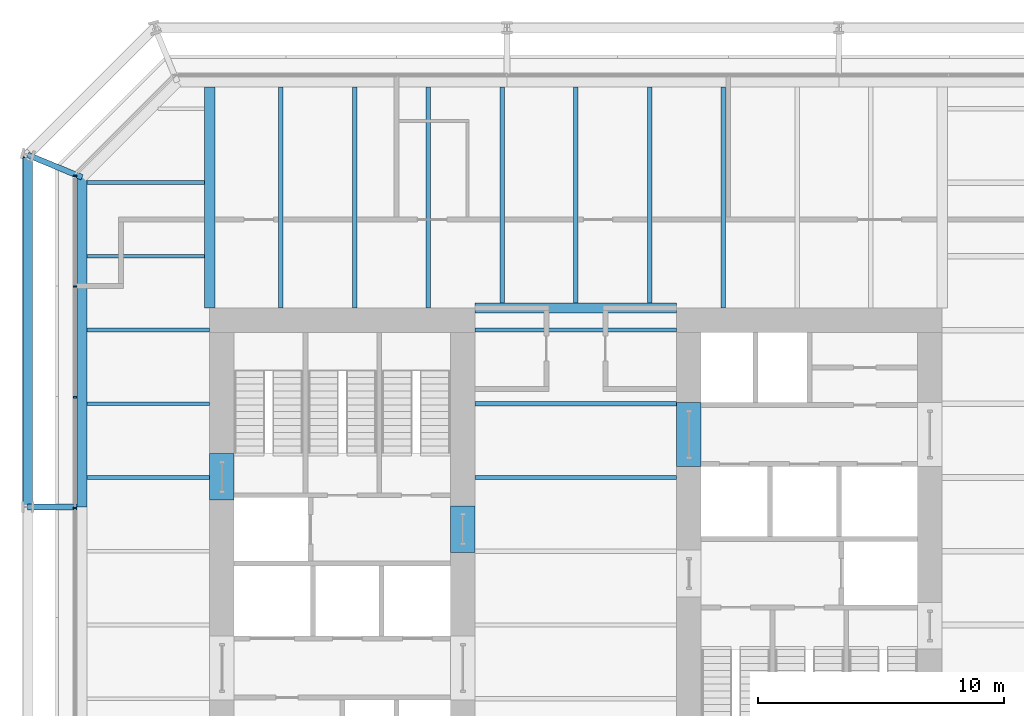
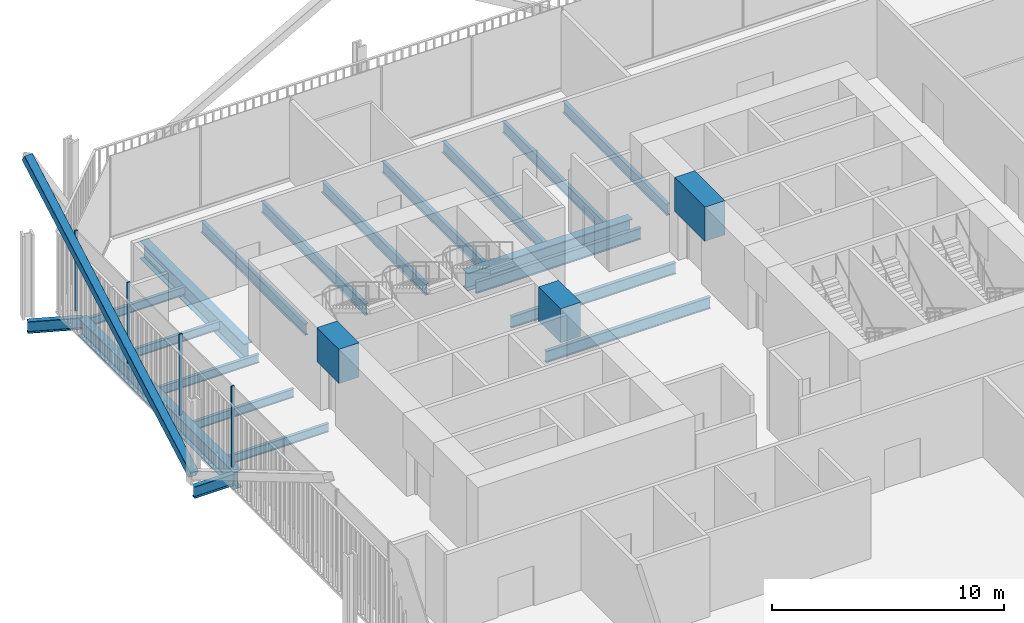
# One storey, part 11 of 21: 23 beams, 5 members, 1 element without a shape of its own.
"""IFC4 building model written with IfcOpenShell, lengths in metres."""

import ifcopenshell
import ifcopenshell.guid

model = None  # the IFC model being written
_history = None  # IfcOwnerHistory: only IFC2X3 demands one
_inside = {}  # id of a spatial element -> (the spatial element, [elements in it])
_under = {}  # id of a project, library or spatial element -> (it, [spatial elements below it])
_declared = {}  # id of a project -> (the project, [libraries it declares])
_typed = {}  # id of a type object -> (the type object, [elements of that type])
_made_of = {}  # id of a material, layer set ... -> (it, [elements and type objects made of it])


def new_model(schema):
    """Start an empty IFC model of exactly this schema.

    Asked for "IFC4X3", IfcOpenShell would pick the latest addendum, in which some entities
    have other attributes; the version numbers below select the first issue.
    IFC2X3 requires an IfcOwnerHistory on every rooted entity: one is made here for all.
    """
    global model, _history
    if schema == "IFC4X3":
        model = ifcopenshell.file(schema_version=(4, 3, 0, 0))
    else:
        model = ifcopenshell.file(schema=schema)
    _inside.clear()
    _under.clear()
    _declared.clear()
    _typed.clear()
    _made_of.clear()
    _history = None
    if model.schema == "IFC2X3":
        org = make("IfcOrganization", Name="unknown")
        user = make(
            "IfcPersonAndOrganization",
            ThePerson=make("IfcPerson", FamilyName="unknown"),
            TheOrganization=org,
        )
        app = make(
            "IfcApplication",
            ApplicationDeveloper=org,
            Version="unknown",
            ApplicationFullName="unknown",
            ApplicationIdentifier="unknown",
        )
        _history = make(
            "IfcOwnerHistory",
            OwningUser=user,
            OwningApplication=app,
            ChangeAction="ADDED",
            CreationDate=0,
        )
    return model


def make(cls, **values):
    """One entity of the class cls with the attributes given. An attribute that is None is left unset."""
    return model.create_entity(
        cls, **{name: value for name, value in values.items() if value is not None}
    )


def rooted(cls, **values):
    """An entity with a GlobalId (a new one), such as an element, a storey or a relation."""
    return make(cls, GlobalId=ifcopenshell.guid.new(), OwnerHistory=_history, **values)


def si_unit(unit_type, name, prefix=None):
    """IfcSIUnit, for example si_unit("LENGTHUNIT", "METRE", prefix="MILLI")."""
    return make("IfcSIUnit", UnitType=unit_type, Prefix=prefix, Name=name)


def assignment(units):
    """IfcUnitAssignment: the units of a project."""
    return None if units is None else make("IfcUnitAssignment", Units=units)


def point(xyz):
    """IfcCartesianPoint."""
    return None if xyz is None else make("IfcCartesianPoint", Coordinates=xyz)


def direction(xyz):
    """IfcDirection."""
    return None if xyz is None else make("IfcDirection", DirectionRatios=xyz)


def frame(location, z_axis=None, x_axis=None):
    """IfcAxis2Placement3D, a coordinate frame: its origin and axes. An axis left out is left unset."""
    return make(
        "IfcAxis2Placement3D",
        Location=point(location),
        Axis=direction(z_axis),
        RefDirection=direction(x_axis),
    )


def frame_2d(location, x_axis=None):
    """IfcAxis2Placement2D, a coordinate frame in the plane: its origin and x axis."""
    return make(
        "IfcAxis2Placement2D", Location=point(location), RefDirection=direction(x_axis)
    )


def origin():
    """The frame at (0, 0, 0) with its axes left unset."""
    return frame((0.0, 0.0, 0.0))


def origin_2d():
    """The frame at (0, 0) in the plane with its x axis left unset."""
    return frame_2d((0.0, 0.0))


def place(relative_to, where):
    """IfcLocalPlacement: puts the frame where relative to a parent placement (None: the world)."""
    return make(
        "IfcLocalPlacement", PlacementRelTo=relative_to, RelativePlacement=where
    )


def context(
    kind, dimensions, precision=None, world=None, true_north=None, identifier=None
):
    """IfcGeometricRepresentationContext, for example the 3D "Model" context."""
    return make(
        "IfcGeometricRepresentationContext",
        ContextIdentifier=identifier,
        ContextType=kind,
        CoordinateSpaceDimension=dimensions,
        Precision=precision,
        WorldCoordinateSystem=world,
        TrueNorth=true_north,
    )


def subcontext(parent, identifier, kind, view, scale=None):
    """IfcGeometricRepresentationSubContext, for example "Body" below "Model"."""
    return make(
        "IfcGeometricRepresentationSubContext",
        ContextIdentifier=identifier,
        ContextType=kind,
        ParentContext=parent,
        TargetScale=scale,
        TargetView=view,
    )


def project(units=None, contexts=None):
    """IfcProject with its units and contexts."""
    return rooted(
        "IfcProject",
        Name="project",
        RepresentationContexts=contexts,
        UnitsInContext=assignment(units),
    )


def spatial(cls, under=None, at=None, **own):
    """A site, building, storey or space (cls), placed at a placement, below another one or the project."""
    s = rooted(cls, ObjectPlacement=at, **own)
    if under is not None:
        _under.setdefault(under.id(), (under, []))[1].append(s)
    return s


def profile(cls, at=None, kind="AREA", **sizes):
    """A parametric profile (cls). Its sizes go by their IFC names, for example OverallWidth=200.0."""
    return make(cls, ProfileType=kind, Position=at, **sizes)


def rectangle(**sizes):
    """IfcRectangleProfileDef."""
    return profile("IfcRectangleProfileDef", **sizes)


def hollow_rectangle(**sizes):
    """IfcRectangleHollowProfileDef."""
    return profile("IfcRectangleHollowProfileDef", **sizes)


def i_section(**sizes):
    """IfcIShapeProfileDef."""
    return profile("IfcIShapeProfileDef", **sizes)


def extrude(swept, where, along, depth):
    """IfcExtrudedAreaSolid: the profile swept, set in the frame where, extruded along a direction by depth."""
    return make(
        "IfcExtrudedAreaSolid",
        SweptArea=swept,
        Position=where,
        ExtrudedDirection=direction(along),
        Depth=depth,
    )


def shape(context_of_items, identifier, shape_type, items):
    """IfcShapeRepresentation: the items that make up one representation, for example the "Body"."""
    return make(
        "IfcShapeRepresentation",
        ContextOfItems=context_of_items,
        RepresentationIdentifier=identifier,
        RepresentationType=shape_type,
        Items=items,
    )


def material(Name=None, Category=None):
    """IfcMaterial."""
    return make("IfcMaterial", Name=Name, Category=Category)


def layer(
    of_material, thickness, ventilated=None, Name=None, Category=None, Priority=None
):
    """IfcMaterialLayer: one layer of a wall or slab, of a material (None: an air gap)."""
    return make(
        "IfcMaterialLayer",
        Material=of_material,
        LayerThickness=thickness,
        IsVentilated=ventilated,
        Name=Name,
        Category=Category,
        Priority=Priority,
    )


def layer_set(layers, Name=None):
    """IfcMaterialLayerSet."""
    return make("IfcMaterialLayerSet", MaterialLayers=layers, LayerSetName=Name)


def material_profile(
    of_material, cross_section, Name=None, Category=None, Priority=None
):
    """IfcMaterialProfile: a cross section and its material."""
    return make(
        "IfcMaterialProfile",
        Name=Name,
        Material=of_material,
        Profile=cross_section,
        Priority=Priority,
        Category=Category,
    )


def profile_set(profiles, Name=None, composite=None):
    """IfcMaterialProfileSet."""
    return make(
        "IfcMaterialProfileSet",
        Name=Name,
        MaterialProfiles=profiles,
        CompositeProfile=composite,
    )


def made_of(thing, what):
    """Note that an element or type object is made of a material, layer set ...; save() writes the relation."""
    if what is not None:
        _made_of.setdefault(what.id(), (what, []))[1].append(thing)
    return thing


def type_object(cls, material=None, **own):
    """A type object (cls), such as IfcWallType, which elements share."""
    return made_of(rooted(cls, **own), material)


def element(
    cls,
    number,
    at=None,
    inside=None,
    cuts=None,
    type_object=None,
    material=None,
    context=None,
    identifier="Body",
    shape_type=None,
    held_by="IfcProductDefinitionShape",
    body=None,
    shapes=None,
    **own,
):
    """One element of the class cls, such as IfcWall. Its Tag is "e" and its number.

    at: its placement. inside: the storey or other place that contains it. cuts: it is an
    opening in that element (IfcRelVoidsElement). A single representation is given by context,
    identifier, shape_type and body (its items); several are given by shapes. held_by: the class
    of the entity that holds the representations. save() writes the other relations.
    """
    e = rooted(cls, Tag="e%d" % number, ObjectPlacement=at, **own)
    if body is not None:
        shapes = [shape(context, identifier, shape_type, body)]
    if shapes is not None:
        e.Representation = make(held_by, Representations=shapes)
    if inside is not None:
        _inside.setdefault(inside.id(), (inside, []))[1].append(e)
    if cuts is not None:
        rooted(
            "IfcRelVoidsElement", RelatingBuildingElement=cuts, RelatedOpeningElement=e
        )
    if type_object is not None:
        _typed.setdefault(type_object.id(), (type_object, []))[1].append(e)
    return made_of(e, material)


def aggregate(whole, parts):
    """IfcRelAggregates: a whole, such as a stair, and the parts it consists of."""
    return rooted("IfcRelAggregates", RelatingObject=whole, RelatedObjects=parts)


def save(model, path):
    """Write the relations noted so far, then the file.

    IfcRelAggregates (storeys below a building ...), IfcRelContainedInSpatialStructure (elements
    in a storey), IfcRelDefinesByType, IfcRelAssociatesMaterial and IfcRelDeclares: one each for
    every whole, place, type object, material and project.
    """
    for whole, parts in _under.values():
        aggregate(whole, parts)
    for where, things in _inside.values():
        rooted(
            "IfcRelContainedInSpatialStructure",
            RelatedElements=things,
            RelatingStructure=where,
        )
    for kind, things in _typed.values():
        rooted("IfcRelDefinesByType", RelatedObjects=things, RelatingType=kind)
    for what, things in _made_of.values():
        rooted("IfcRelAssociatesMaterial", RelatedObjects=things, RelatingMaterial=what)
    for by, libraries in _declared.values():
        rooted("IfcRelDeclares", RelatingContext=by, RelatedDefinitions=libraries)
    model.write(path)


model = new_model("IFC4")

# Units and contexts
model_context = context("Model", 3, precision=1e-05, world=origin(), true_north=direction((0.0, 1.0)))
body_context = subcontext(model_context, "Body", "Model", "MODEL_VIEW")
ifc_project = project(units=[si_unit("LENGTHUNIT", "METRE"), si_unit("AREAUNIT", "SQUARE_METRE"), si_unit("VOLUMEUNIT", "CUBIC_METRE"), si_unit("PLANEANGLEUNIT", "RADIAN"), si_unit("MASSUNIT", "GRAM", prefix="KILO")], contexts=[model_context])

# Site, building, storey
site_placement = place(None, origin())
site = spatial("IfcSite", under=ifc_project, at=site_placement, CompositionType="ELEMENT")
building_placement = place(site_placement, origin())
building = spatial("IfcBuilding", under=site, at=building_placement, Name="Millrace Tower", CompositionType="ELEMENT")
storey_placement = place(building_placement, frame((0.0, 0.0, 95.199951171875)))
storey = spatial("IfcBuildingStorey", under=building, at=storey_placement, Name="L21", CompositionType="ELEMENT", Elevation=95.199951171875)

# Curtain wall, members
ifc_material_1 = material(Name="Aluminium and glass", Category="aluminium")
ifc_layer = layer(ifc_material_1, 0.14990234375)
ifc_layer_set = layer_set([ifc_layer], Name="Aluminium and glass")
curtain_wall_type = type_object("IfcCurtainWallType", Name="CW-3 telecom floor curtain wall", PredefinedType="NOTDEFINED", material=ifc_layer_set)
curtain_wall_placement = place(storey_placement, origin())
curtain_wall = element("IfcCurtainWall", 1, at=curtain_wall_placement, inside=storey, type_object=curtain_wall_type, Name="Curtain wall B-F08 L21", PredefinedType="NOTDEFINED")
ifc_material_2 = material(Name="Aluminium", Category="aluminium")
ifc_material_profile_1 = material_profile(ifc_material_2, rectangle(XDim=0.06494140625, YDim=0.14990234375, at=origin_2d()))
ifc_profile_set_1 = profile_set([ifc_material_profile_1], Name="Aluminium")
member_type_1 = type_object("IfcMemberType", Name="CW-3 telecom floor curtain wall mullion", PredefinedType="MULLION", material=ifc_profile_set_1)
member_1_placement = place(storey_placement, frame((-20.375, 15.267578125, 0.150146484375), z_axis=(0.0, 0.0, 1.0), x_axis=(0.0, -1.0, 0.0)))
member_1 = element("IfcMember", 2, at=member_1_placement, type_object=member_type_1, Name="CW3 mullion B-F08.1", PredefinedType="MULLION", context=body_context, shape_type="SweptSolid", body=[
    extrude(rectangle(XDim=0.06494140625, YDim=0.14990234375, at=origin_2d()), origin(), (0.0, 0.0, 1.0), 4.25),
])
member_2_placement = place(storey_placement, frame((-20.375, 10.767578125, 0.150146484375), z_axis=(0.0, 0.0, 1.0), x_axis=(0.0, -1.0, 0.0)))
member_2 = element("IfcMember", 3, at=member_2_placement, type_object=member_type_1, Name="CW3 mullion B-F08.2", PredefinedType="MULLION", context=body_context, shape_type="SweptSolid", body=[
    extrude(rectangle(XDim=0.06494140625, YDim=0.14990234375, at=origin_2d()), origin(), (0.0, 0.0, 1.0), 4.25),
])
member_3_placement = place(storey_placement, frame((-20.375, 6.267578125, 0.150146484375), z_axis=(0.0, 0.0, 1.0), x_axis=(0.0, -1.0, 0.0)))
member_3 = element("IfcMember", 4, at=member_3_placement, type_object=member_type_1, Name="CW3 mullion B-F08.3", PredefinedType="MULLION", context=body_context, shape_type="SweptSolid", body=[
    extrude(rectangle(XDim=0.06494140625, YDim=0.14990234375, at=origin_2d()), origin(), (0.0, 0.0, 1.0), 4.25),
])
member_4_placement = place(storey_placement, frame((-20.375, 1.767578125, 0.150146484375), z_axis=(0.0, 0.0, 1.0), x_axis=(0.0, -1.0, 0.0)))
member_4 = element("IfcMember", 5, at=member_4_placement, type_object=member_type_1, Name="CW3 mullion B-F08.4", PredefinedType="MULLION", context=body_context, shape_type="SweptSolid", body=[
    extrude(rectangle(XDim=0.06494140625, YDim=0.14990234375, at=origin_2d()), origin(), (0.0, 0.0, 1.0), 4.25),
])
aggregate(curtain_wall, [member_1, member_2, member_3, member_4])

# Beams
ifc_material_3 = material(Name="Concrete C80", Category="concrete")
ifc_material_profile_2 = material_profile(ifc_material_3, rectangle(XDim=1.0, YDim=1.800048828125, at=origin_2d()))
ifc_profile_set_2 = profile_set([ifc_material_profile_2], Name="Concrete C80")
beam_type_1 = type_object("IfcBeamType", Name="Coupling beam 1000 x 1800 Concrete C80, 1300 opening", PredefinedType="BEAM", material=ifc_profile_set_2)
beam_1_placement = place(storey_placement, frame((-14.39990234375, 2.080078125, 3.300048828125), z_axis=(0.0, 1.0, 0.0), x_axis=(-1.0, 0.0, 0.0)))
element("IfcBeam", 6, at=beam_1_placement, inside=storey, type_object=beam_type_1, Name="Coupling beam W L21", PredefinedType="BEAM", context=body_context, shape_type="SweptSolid", body=[
    extrude(rectangle(XDim=1.0, YDim=1.800048828125, at=origin_2d()), origin(), (0.0, 0.0, 1.0), 1.89990234375),
])
beam_2_placement = place(storey_placement, frame((-4.60009765625, -0.050048828125, 3.300048828125), z_axis=(0.0, 1.0, 0.0), x_axis=(-1.0, 0.0, 0.0)))
element("IfcBeam", 7, at=beam_2_placement, inside=storey, type_object=beam_type_1, Name="Coupling beam W L21", PredefinedType="BEAM", context=body_context, shape_type="SweptSolid", body=[
    extrude(rectangle(XDim=1.0, YDim=1.800048828125, at=origin_2d()), origin(), (0.0, 0.0, 1.0), 1.900146484375),
])
ifc_material_4 = material(Name="Concrete C80", Category="concrete")
ifc_material_profile_3 = material_profile(ifc_material_4, rectangle(XDim=1.0, YDim=1.800048828125, at=origin_2d()))
ifc_profile_set_3 = profile_set([ifc_material_profile_3], Name="Concrete C80")
beam_type_2 = type_object("IfcBeamType", Name="Coupling beam 1000 x 1800 Concrete C80, 2000 opening", PredefinedType="BEAM", material=ifc_profile_set_3)
beam_3_placement = place(storey_placement, frame((4.60009765625, 6.050048828125, 3.300048828125), z_axis=(0.0, -1.0, 0.0), x_axis=(1.0, 0.0, 0.0)))
element("IfcBeam", 8, at=beam_3_placement, inside=storey, type_object=beam_type_2, Name="Coupling beam E L21", PredefinedType="BEAM", context=body_context, shape_type="SweptSolid", body=[
    extrude(rectangle(XDim=1.0, YDim=1.800048828125, at=origin_2d()), origin(), (0.0, 0.0, 1.0), 2.60009765625),
])

# Member
ifc_material_5 = material(Name="Steel ASTM A500 Grade C", Category="steel")
ifc_material_profile_4 = material_profile(ifc_material_5, hollow_rectangle(XDim=0.406494140625, YDim=0.406494140625, WallThickness=0.0126953125, InnerFilletRadius=0.00634765625, OuterFilletRadius=0.01904296875, at=origin_2d()))
ifc_profile_set_4 = profile_set([ifc_material_profile_4], Name="Steel ASTM A500 Grade C")
member_type_2 = type_object("IfcMemberType", Name="Exoskeleton brace HSS16x16x1/2", PredefinedType="BRACE", material=ifc_profile_set_4)
member_5_placement = place(storey_placement, frame((-22.300048828125, 1.800048828125, 0.400146484375), z_axis=(0.0, 0.873125840427, 0.487494888976), x_axis=(-1.0, 0.0, 0.0)))
element("IfcMember", 9, at=member_5_placement, inside=storey, type_object=member_type_2, Name="BRC-B-L21-14", PredefinedType="BRACE", context=body_context, shape_type="SweptSolid", body=[
    extrude(hollow_rectangle(XDim=0.406494140625, YDim=0.406494140625, WallThickness=0.0126953125, InnerFilletRadius=0.00634765625, OuterFilletRadius=0.01904296875, at=origin_2d()), origin(), (0.0, 0.0, 1.0), 16.410400390625),
])

# Beams
ifc_material_6 = material(Name="Steel ASTM A992 Grade 50", Category="steel")
ifc_material_profile_5 = material_profile(ifc_material_6, i_section(OverallWidth=0.15234375, OverallDepth=0.449462890625, WebThickness=0.007568359375, FlangeThickness=0.0107421875, FilletRadius=0.01025390625, at=origin_2d()))
ifc_profile_set_5 = profile_set([ifc_material_profile_5], Name="Steel ASTM A992 Grade 50")
beam_type_3 = type_object("IfcBeamType", Name="Floor beam W18x35", PredefinedType="JOIST", material=ifc_profile_set_5)
for number, where, z_axis, x_axis, name in (
    (10, (-19.880859375, 3.0, -0.4248046875), (1.0, 0.0, 0.0), (0.0, 1.0, 0.0), "BM-B-L21-S1-S026"),
    (11, (-19.880859375, 6.0, -0.4248046875), (1.0, 0.0, 0.0), (0.0, 1.0, 0.0), "BM-B-L21-S1-S029"),
    (12, (-19.880859375, 9.0, -0.4248046875), (1.0, 0.0, 0.0), (0.0, 1.0, 0.0), "BM-B-L21-S1-S032"),
):
    element("IfcBeam", number, at=place(storey_placement, frame(where, z_axis=z_axis, x_axis=x_axis)), inside=storey, type_object=beam_type_3, Name=name, PredefinedType="JOIST", context=body_context, shape_type="SweptSolid", body=[
        extrude(i_section(OverallWidth=0.15234375, OverallDepth=0.449462890625, WebThickness=0.007568359375, FlangeThickness=0.0107421875, FilletRadius=0.01025390625, at=origin_2d()), origin(), (0.0, 0.0, 1.0), 4.98095703125),
    ])
for number, where, z_axis, x_axis, name in (
    (13, (-19.880859375, 12.0, -0.4248046875), (1.0, 0.0, 0.0), (0.0, 1.0, 0.0), "BM-B-L21-S1-S034"),
    (14, (-19.880859375, 15.0, -0.4248046875), (1.0, 0.0, 0.0), (0.0, 1.0, 0.0), "BM-B-L21-S1-S036"),
):
    element("IfcBeam", number, at=place(storey_placement, frame(where, z_axis=z_axis, x_axis=x_axis)), inside=storey, type_object=beam_type_3, Name=name, PredefinedType="JOIST", context=body_context, shape_type="SweptSolid", body=[
        extrude(i_section(OverallWidth=0.15234375, OverallDepth=0.449462890625, WebThickness=0.007568359375, FlangeThickness=0.0107421875, FilletRadius=0.01025390625, at=origin_2d()), origin(), (0.0, 0.0, 1.0), 4.77001953125),
    ])
ifc_material_7 = material(Name="Steel ASTM A992 Grade 50", Category="steel")
ifc_material_profile_6 = material_profile(ifc_material_7, i_section(OverallWidth=0.177978515625, OverallDepth=0.599365234375, WebThickness=0.010009765625, FlangeThickness=0.012939453125, FilletRadius=0.012939453125, at=origin_2d()))
ifc_profile_set_6 = profile_set([ifc_material_profile_6], Name="Steel ASTM A992 Grade 50")
beam_type_4 = type_object("IfcBeamType", Name="Floor beam W24x55", PredefinedType="JOIST", material=ifc_profile_set_6)
for number, where, z_axis, x_axis, name in (
    (15, (-4.10009765625, 3.0, -0.499755859375), (1.0, 0.0, 0.0), (0.0, 1.0, 0.0), "BM-B-L21-S1-S025"),
    (16, (-4.10009765625, 6.0, -0.499755859375), (1.0, 0.0, 0.0), (0.0, 1.0, 0.0), "BM-B-L21-S1-S028"),
    (17, (-4.10009765625, 9.0, -0.499755859375), (1.0, 0.0, 0.0), (0.0, 1.0, 0.0), "BM-B-L21-S1-S031"),
):
    element("IfcBeam", number, at=place(storey_placement, frame(where, z_axis=z_axis, x_axis=x_axis)), inside=storey, type_object=beam_type_4, Name=name, PredefinedType="JOIST", context=body_context, shape_type="SweptSolid", body=[
        extrude(i_section(OverallWidth=0.177978515625, OverallDepth=0.599365234375, WebThickness=0.010009765625, FlangeThickness=0.012939453125, FilletRadius=0.012939453125, at=origin_2d()), origin(), (0.0, 0.0, 1.0), 8.2001953125),
    ])
for number, where, z_axis, x_axis, name in (
    (18, (-12.0, 9.89990234375, -0.499755859375), (0.0, 1.0, 0.0), (-1.0, 0.0, 0.0), "BM-B-L21-S1-S040"),
    (19, (-9.0, 9.89990234375, -0.499755859375), (0.0, 1.0, 0.0), (-1.0, 0.0, 0.0), "BM-B-L21-S1-S042"),
    (20, (-6.0, 9.89990234375, -0.499755859375), (0.0, 1.0, 0.0), (-1.0, 0.0, 0.0), "BM-B-L21-S1-S044"),
):
    element("IfcBeam", number, at=place(storey_placement, frame(where, z_axis=z_axis, x_axis=x_axis)), inside=storey, type_object=beam_type_4, Name=name, PredefinedType="JOIST", context=body_context, shape_type="SweptSolid", body=[
        extrude(i_section(OverallWidth=0.177978515625, OverallDepth=0.599365234375, WebThickness=0.010009765625, FlangeThickness=0.012939453125, FilletRadius=0.012939453125, at=origin_2d()), origin(), (0.0, 0.0, 1.0), 8.98095703125),
    ])
for number, where, z_axis, x_axis, name in (
    (21, (-3.0, 10.11083984375, -0.499755859375), (0.0, 1.0, 0.0), (-1.0, 0.0, 0.0), "BM-B-L21-S1-S046"),
    (22, (0.0, 10.11083984375, -0.499755859375), (0.0, 1.0, 0.0), (-1.0, 0.0, 0.0), "BM-B-L21-S1-S048"),
    (23, (3.0, 10.11083984375, -0.499755859375), (0.0, 1.0, 0.0), (-1.0, 0.0, 0.0), "BM-B-L21-S1-S050"),
):
    element("IfcBeam", number, at=place(storey_placement, frame(where, z_axis=z_axis, x_axis=x_axis)), inside=storey, type_object=beam_type_4, Name=name, PredefinedType="JOIST", context=body_context, shape_type="SweptSolid", body=[
        extrude(i_section(OverallWidth=0.177978515625, OverallDepth=0.599365234375, WebThickness=0.010009765625, FlangeThickness=0.012939453125, FilletRadius=0.012939453125, at=origin_2d()), origin(), (0.0, 0.0, 1.0), 8.77001953125),
    ])
beam_4_placement = place(storey_placement, frame((6.0, 9.89990234375, -0.499755859375), z_axis=(0.0, 1.0, 0.0), x_axis=(-1.0, 0.0, 0.0)))
element("IfcBeam", 24, at=beam_4_placement, inside=storey, type_object=beam_type_4, Name="BM-B-L21-S1-S052", PredefinedType="JOIST", context=body_context, shape_type="SweptSolid", body=[
    extrude(i_section(OverallWidth=0.177978515625, OverallDepth=0.599365234375, WebThickness=0.010009765625, FlangeThickness=0.012939453125, FilletRadius=0.012939453125, at=origin_2d()), origin(), (0.0, 0.0, 1.0), 8.98095703125),
])
ifc_material_8 = material(Name="Steel ASTM A992 Grade 50", Category="steel")
ifc_material_profile_7 = material_profile(ifc_material_8, i_section(OverallWidth=0.421630859375, OverallDepth=0.937255859375, WebThickness=0.021240234375, FlangeThickness=0.03662109375, FilletRadius=0.024169921875, at=origin_2d()))
ifc_profile_set_7 = profile_set([ifc_material_profile_7], Name="Steel ASTM A992 Grade 50")
beam_type_5 = type_object("IfcBeamType", Name="Girder short span W36x262", PredefinedType="BEAM", material=ifc_profile_set_7)
beam_5_placement = place(storey_placement, frame((-14.89990234375, 9.89990234375, -0.668701171875), z_axis=(0.0, 1.0, 0.0), x_axis=(-1.0, 0.0, 0.0)))
element("IfcBeam", 25, at=beam_5_placement, inside=storey, type_object=beam_type_5, Name="BM-B-L21-S1-G058", PredefinedType="BEAM", context=body_context, shape_type="SweptSolid", body=[
    extrude(i_section(OverallWidth=0.421630859375, OverallDepth=0.937255859375, WebThickness=0.021240234375, FlangeThickness=0.03662109375, FilletRadius=0.024169921875, at=origin_2d()), origin(), (0.0, 0.0, 1.0), 8.98095703125),
])
beam_6_placement = place(storey_placement, frame((-4.10009765625, 9.89990234375, -0.668701171875), z_axis=(1.0, 0.0, 0.0), x_axis=(0.0, 1.0, 0.0)))
element("IfcBeam", 26, at=beam_6_placement, inside=storey, type_object=beam_type_5, Name="BM-B-L21-S1-G062", PredefinedType="BEAM", context=body_context, shape_type="SweptSolid", body=[
    extrude(i_section(OverallWidth=0.421630859375, OverallDepth=0.937255859375, WebThickness=0.021240234375, FlangeThickness=0.03662109375, FilletRadius=0.024169921875, at=origin_2d()), origin(), (0.0, 0.0, 1.0), 8.2001953125),
])
ifc_material_9 = material(Name="Steel ASTM A992 Grade 50", Category="steel")
ifc_material_profile_8 = material_profile(ifc_material_9, i_section(OverallWidth=0.23046875, OverallDepth=0.6171875, WebThickness=0.01318359375, FlangeThickness=0.022216796875, FilletRadius=0.012939453125, at=origin_2d()))
ifc_profile_set_8 = profile_set([ifc_material_profile_8], Name="Steel ASTM A992 Grade 50")
beam_type_6 = type_object("IfcBeamType", Name="Link beam W24x94", PredefinedType="BEAM", material=ifc_profile_set_8)
beam_7_placement = place(storey_placement, frame((-20.300048828125, 1.800048828125, -0.508544921875), z_axis=(-1.0, 0.0, 0.0), x_axis=(0.0, -1.0, 0.0)))
element("IfcBeam", 27, at=beam_7_placement, inside=storey, type_object=beam_type_6, Name="LNK-B-L21-S1-03", PredefinedType="BEAM", context=body_context, shape_type="SweptSolid", body=[
    extrude(i_section(OverallWidth=0.23046875, OverallDepth=0.6171875, WebThickness=0.01318359375, FlangeThickness=0.022216796875, FilletRadius=0.012939453125, at=origin_2d()), origin(), (0.0, 0.0, 1.0), 2.0),
])
beam_8_placement = place(storey_placement, frame((-20.09033203125, 15.213134765625, -0.508544921875), z_axis=(-0.923881226989, 0.382679341507, 0.0), x_axis=(-0.382679341507, -0.923881226989, 0.0)))
element("IfcBeam", 28, at=beam_8_placement, inside=storey, type_object=beam_type_6, Name="LNK-B-L21-S1-04", PredefinedType="BEAM", context=body_context, shape_type="SweptSolid", body=[
    extrude(i_section(OverallWidth=0.23046875, OverallDepth=0.6171875, WebThickness=0.01318359375, FlangeThickness=0.022216796875, FilletRadius=0.012939453125, at=origin_2d()), origin(), (0.0, 0.0, 1.0), 2.391845703125),
])
ifc_material_10 = material(Name="Steel ASTM A992 Grade 50", Category="steel")
ifc_material_profile_9 = material_profile(ifc_material_10, i_section(OverallWidth=0.419189453125, OverallDepth=0.927001953125, WebThickness=0.019287109375, FlangeThickness=0.031982421875, FilletRadius=0.024169921875, at=origin_2d()))
ifc_profile_set_9 = profile_set([ifc_material_profile_9], Name="Steel ASTM A992 Grade 50")
beam_type_7 = type_object("IfcBeamType", Name="Ring beam medium span W36x231", PredefinedType="SPANDREL", material=ifc_profile_set_9)
beam_9_placement = place(storey_placement, frame((-20.09033203125, 1.800048828125, -0.66357421875), z_axis=(0.0, 1.0, 0.0), x_axis=(-1.0, 0.0, 0.0)))
element("IfcBeam", 29, at=beam_9_placement, inside=storey, type_object=beam_type_7, Name="RNG-B-L21-S1-03", PredefinedType="SPANDREL", context=body_context, shape_type="SweptSolid", body=[
    extrude(i_section(OverallWidth=0.419189453125, OverallDepth=0.927001953125, WebThickness=0.019287109375, FlangeThickness=0.031982421875, FilletRadius=0.024169921875, at=origin_2d()), origin(), (0.0, 0.0, 1.0), 13.4130859375),
])

save(model, "model.ifc")
